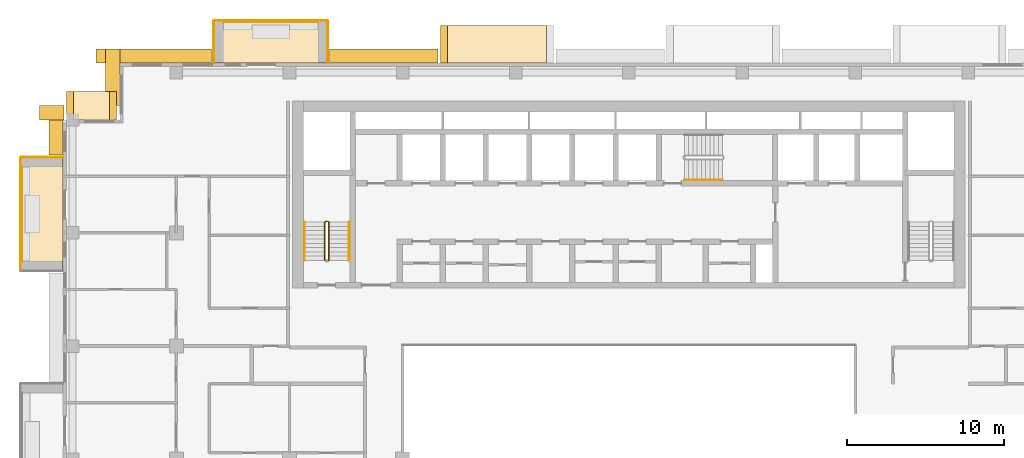
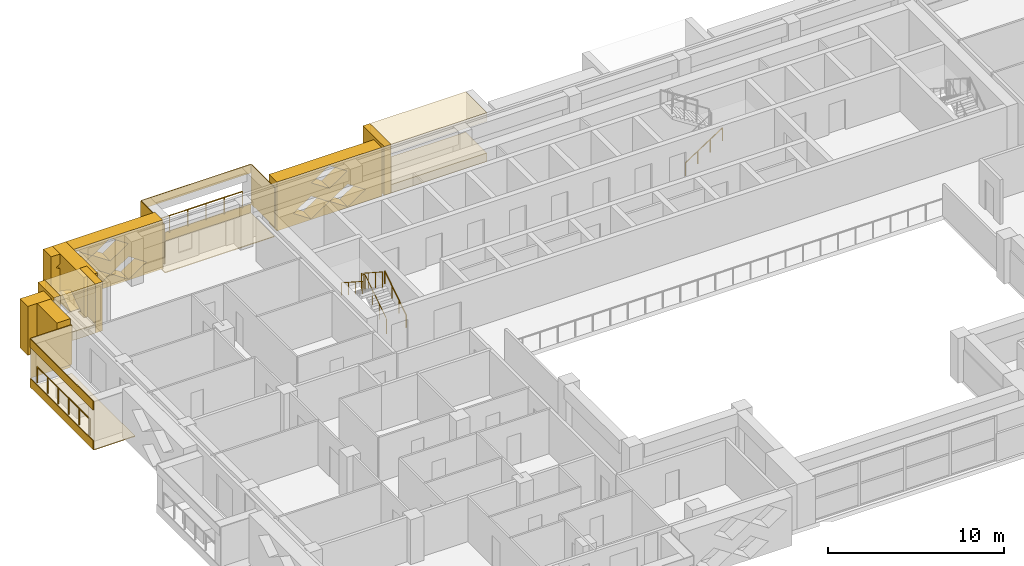
# One storey, part 18 of 20: 21 coverings, 6 railings.
"""IFC4 building model written with IfcOpenShell, lengths in metres."""

from ifc_helpers import new_model, si_unit, direction, frame, origin, origin_2d, place, context, subcontext, project, spatial, polyline, circle, outline, extrude, material, layer, layer_set, type_object, element, save


model = new_model("IFC4")

# Units and contexts
model_context = context("Model", 3, precision=1e-05, world=origin(), true_north=direction((0.0, 1.0)))
body_context = subcontext(model_context, "Body", "Model", "MODEL_VIEW")
ifc_project = project(units=[si_unit("LENGTHUNIT", "METRE"), si_unit("AREAUNIT", "SQUARE_METRE"), si_unit("VOLUMEUNIT", "CUBIC_METRE"), si_unit("PLANEANGLEUNIT", "RADIAN"), si_unit("MASSUNIT", "GRAM", prefix="KILO")], contexts=[model_context])

# Site, building, storey
site_placement = place(None, origin())
site = spatial("IfcSite", under=ifc_project, at=site_placement, CompositionType="ELEMENT")
building_placement = place(site_placement, origin())
building = spatial("IfcBuilding", under=site, at=building_placement, Name="Saffron Iwan Residences", CompositionType="ELEMENT")
storey_placement = place(building_placement, frame((0.0, 0.0, 202.5)))
storey = spatial("IfcBuildingStorey", under=building, at=storey_placement, Name="L54", CompositionType="ELEMENT", Elevation=202.5)

# Railings
ifc_material_1 = material(Name="Stainless steel 316", Category="steel")
railing_type_1 = type_object("IfcRailingType", Name="BALCONY GUARD 1150", PredefinedType="GUARDRAIL", material=ifc_material_1)
railing_1_placement = place(storey_placement, frame((30.60009765625, 83.02490234375, 0.0)))
element("IfcRailing", 1, at=railing_1_placement, inside=storey, type_object=railing_type_1, Name="Balcony guard L54 F5-3", PredefinedType="GUARDRAIL", context=body_context, shape_type="SweptSolid", body=[
    extrude(circle(Radius=0.02392578125, at=origin_2d()), frame((0.0, 0.0, 1.1259765625), z_axis=(-1.0, 0.0, 0.0), x_axis=(0.0, -1.0, 0.0)), (0.0, 0.0, 1.0), 6.0),
    extrude(circle(Radius=0.02099609375, at=origin_2d()), origin(), (0.0, 0.0, 1.0), 1.101806640625),
    extrude(circle(Radius=0.02099609375, at=origin_2d()), frame((-1.199951171875, 0.0, 0.0)), (0.0, 0.0, 1.0), 1.101806640625),
    extrude(circle(Radius=0.02099609375, at=origin_2d()), frame((-2.39990234375, 0.0, 0.0)), (0.0, 0.0, 1.0), 1.101806640625),
    extrude(circle(Radius=0.02099609375, at=origin_2d()), frame((-3.60009765625, 0.0, 0.0)), (0.0, 0.0, 1.0), 1.101806640625),
    extrude(circle(Radius=0.02099609375, at=origin_2d()), frame((-4.800048828125, 0.0, 0.0)), (0.0, 0.0, 1.0), 1.101806640625),
    extrude(circle(Radius=0.02099609375, at=origin_2d()), frame((-6.0, 0.0, 0.0)), (0.0, 0.0, 1.0), 1.101806640625),
])
railing_2_placement = place(storey_placement, frame((11.77490234375, 73.800048828125, 0.0)))
element("IfcRailing", 2, at=railing_2_placement, inside=storey, type_object=railing_type_1, Name="Balcony guard L54 F8-0", PredefinedType="GUARDRAIL", context=body_context, shape_type="SweptSolid", body=[
    extrude(circle(Radius=0.02392578125, at=origin_2d()), frame((0.0, 0.0, 1.1259765625), z_axis=(0.0, -1.0, 0.0), x_axis=(1.0, 0.0, 0.0)), (0.0, 0.0, 1.0), 6.0),
    extrude(circle(Radius=0.02099609375, at=origin_2d()), origin(), (0.0, 0.0, 1.0), 1.101806640625),
    extrude(circle(Radius=0.02099609375, at=origin_2d()), frame((0.0, -1.199951171875, 0.0)), (0.0, 0.0, 1.0), 1.101806640625),
    extrude(circle(Radius=0.02099609375, at=origin_2d()), frame((0.0, -2.39990234375, 0.0)), (0.0, 0.0, 1.0), 1.101806640625),
    extrude(circle(Radius=0.02099609375, at=origin_2d()), frame((0.0, -3.60009765625, 0.0)), (0.0, 0.0, 1.0), 1.101806640625),
    extrude(circle(Radius=0.02099609375, at=origin_2d()), frame((0.0, -4.800048828125, 0.0)), (0.0, 0.0, 1.0), 1.101806640625),
    extrude(circle(Radius=0.02099609375, at=origin_2d()), frame((0.0, -6.0, 0.0)), (0.0, 0.0, 1.0), 1.101806640625),
])

# Coverings
ifc_material_2 = material(Name="Precast concrete C40/50 white painted", Category="concrete")
ifc_layer = layer(ifc_material_2, 0.050048828125)
ifc_layer_set = layer_set([ifc_layer], Name="Precast concrete C40/50 white painted")
covering_type_1 = type_object("IfcCoveringType", Name="FRAME SKIN PRECAST WHITE 50", PredefinedType="CLADDING", material=ifc_layer_set)
for number, where, name in (
    (3, (0.0, 0.0, -0.60009765625), "Frame skin slab edge L54 F5-3"),
    (4, (0.0, 0.0, 2.14990234375), "Frame skin fascia L54 F5-3"),
):
    element("IfcCovering", number, at=place(storey_placement, frame(where)), inside=storey, type_object=covering_type_1, Name=name, PredefinedType="CLADDING", context=body_context, shape_type="SweptSolid", body=[
        extrude(outline(polyline([(31.199951171875, 83.14990234375), (24.0, 83.14990234375), (24.0, 83.10009765625), (31.199951171875, 83.10009765625), (31.199951171875, 83.14990234375)])), origin(), (0.0, 0.0, 1.0), 0.60009765625),
    ])
covering_1_placement = place(storey_placement, frame((0.0, 0.0, -0.64990234375)))
element("IfcCovering", 5, at=covering_1_placement, inside=storey, type_object=covering_type_1, Name="Frame skin soffit L54 F5-3", PredefinedType="CLADDING", context=body_context, shape_type="SweptSolid", body=[
    extrude(outline(polyline([(31.199951171875, 83.10009765625), (24.0, 83.10009765625), (24.0, 80.39990234375), (31.199951171875, 80.39990234375), (31.199951171875, 83.10009765625)])), origin(), (0.0, 0.0, 1.0), 0.0498046875),
])
covering_2_placement = place(storey_placement, origin())
element("IfcCovering", 6, at=covering_2_placement, inside=storey, type_object=covering_type_1, Name="Frame skin fin L54 F5-3a", PredefinedType="CLADDING", context=body_context, shape_type="SweptSolid", body=[
    extrude(outline(polyline([(31.25, 83.10009765625), (31.199951171875, 83.10009765625), (31.199951171875, 80.39990234375), (31.25, 80.39990234375), (31.25, 83.10009765625)])), origin(), (0.0, 0.0, 1.0), 2.75),
])
covering_3_placement = place(storey_placement, origin())
element("IfcCovering", 7, at=covering_3_placement, inside=storey, type_object=covering_type_1, Name="Frame skin fin L54 F5-3b", PredefinedType="CLADDING", context=body_context, shape_type="SweptSolid", body=[
    extrude(outline(polyline([(24.0, 83.10009765625), (23.949951171875, 83.10009765625), (23.949951171875, 80.39990234375), (24.0, 80.39990234375), (24.0, 83.10009765625)])), origin(), (0.0, 0.0, 1.0), 2.75),
])
for number, where, name in (
    (8, (0.0, 0.0, -0.60009765625), "Frame skin slab edge L54 F8-0"),
    (9, (0.0, 0.0, 2.14990234375), "Frame skin fascia L54 F8-0"),
):
    element("IfcCovering", number, at=place(storey_placement, frame(where)), inside=storey, type_object=covering_type_1, Name=name, PredefinedType="CLADDING", context=body_context, shape_type="SweptSolid", body=[
        extrude(outline(polyline([(11.64990234375, 74.39990234375), (11.64990234375, 67.199951171875), (11.699951171875, 67.199951171875), (11.699951171875, 74.39990234375), (11.64990234375, 74.39990234375)])), origin(), (0.0, 0.0, 1.0), 0.60009765625),
    ])
covering_4_placement = place(storey_placement, frame((0.0, 0.0, -0.64990234375)))
element("IfcCovering", 10, at=covering_4_placement, inside=storey, type_object=covering_type_1, Name="Frame skin soffit L54 F8-0", PredefinedType="CLADDING", context=body_context, shape_type="SweptSolid", body=[
    extrude(outline(polyline([(11.699951171875, 74.39990234375), (11.699951171875, 67.199951171875), (14.39990234375, 67.199951171875), (14.39990234375, 74.39990234375), (11.699951171875, 74.39990234375)])), origin(), (0.0, 0.0, 1.0), 0.0498046875),
])
covering_5_placement = place(storey_placement, origin())
element("IfcCovering", 11, at=covering_5_placement, inside=storey, type_object=covering_type_1, Name="Frame skin fin L54 F8-0a", PredefinedType="CLADDING", context=body_context, shape_type="SweptSolid", body=[
    extrude(outline(polyline([(11.699951171875, 74.449951171875), (11.699951171875, 74.39990234375), (14.39990234375, 74.39990234375), (14.39990234375, 74.449951171875), (11.699951171875, 74.449951171875)])), origin(), (0.0, 0.0, 1.0), 2.75),
])
ifc_material_3 = material(Name="Precast concrete C40/50", Category="concrete")
covering_type_2 = type_object("IfcCoveringType", Name="OUTER SKIN LATTICE SCREEN", PredefinedType="CLADDING", material=ifc_material_3)
covering_6_placement = place(storey_placement, frame((38.25, 80.39990234375, -0.300048828125), z_axis=(0.0, 1.0, 0.0), x_axis=(-1.0, 0.0, 0.0)))
element("IfcCovering", 12, at=covering_6_placement, inside=storey, type_object=covering_type_2, Name="OUTER SKIN lattice screen L54 F5.3", PredefinedType="CLADDING", context=body_context, shape_type="SweptSolid", body=[
    extrude(outline(polyline([(0.0, 0.0), (6.89990234375, 0.0), (6.89990234375, 3.39990234375), (0.0, 3.39990234375), (0.0, 0.0)]), holes=[polyline([(1.070068359375, 0.85009765625), (2.25, 0.06005859375), (3.429931640625, 0.85009765625), (2.25, 1.639892578125), (1.070068359375, 0.85009765625)]), polyline([(3.469970703125, 0.85009765625), (4.64990234375, 0.06005859375), (5.830078125, 0.85009765625), (4.64990234375, 1.639892578125), (3.469970703125, 0.85009765625)]), polyline([(2.27001953125, 2.550048828125), (3.449951171875, 1.760009765625), (4.6298828125, 2.550048828125), (3.449951171875, 3.340087890625), (2.27001953125, 2.550048828125)])]), origin(), (0.0, 0.0, 1.0), 0.900146484375),
])
covering_7_placement = place(storey_placement, frame((23.85009765625, 80.39990234375, -0.300048828125), z_axis=(0.0, 1.0, 0.0), x_axis=(-1.0, 0.0, 0.0)))
element("IfcCovering", 13, at=covering_7_placement, inside=storey, type_object=covering_type_2, Name="OUTER SKIN lattice screen L54 F5.4", PredefinedType="CLADDING", context=body_context, shape_type="SweptSolid", body=[
    extrude(outline(polyline([(0.0, 0.0), (7.35009765625, 0.0), (7.35009765625, 3.39990234375), (0.0, 3.39990234375), (0.0, 0.0)]), holes=[polyline([(1.070068359375, 0.85009765625), (2.25, 0.06005859375), (3.429931640625, 0.85009765625), (2.25, 1.639892578125), (1.070068359375, 0.85009765625)]), polyline([(3.469970703125, 0.85009765625), (4.64990234375, 0.06005859375), (5.830078125, 0.85009765625), (4.64990234375, 1.639892578125), (3.469970703125, 0.85009765625)]), polyline([(2.27001953125, 2.550048828125), (3.449951171875, 1.760009765625), (4.6298828125, 2.550048828125), (3.449951171875, 3.340087890625), (2.27001953125, 2.550048828125)]), polyline([(4.669921875, 2.550048828125), (5.85009765625, 1.760009765625), (7.030029296875, 2.550048828125), (5.85009765625, 3.340087890625), (4.669921875, 2.550048828125)])]), origin(), (0.0, 0.0, 1.0), 0.900146484375),
])
covering_8_placement = place(storey_placement, frame((18.0, 81.300048828125, -0.300048828125), z_axis=(-1.0, 0.0, 0.0), x_axis=(0.0, -1.0, 0.0)))
element("IfcCovering", 14, at=covering_8_placement, inside=storey, type_object=covering_type_2, Name="OUTER SKIN lattice screen L54 F6.0", PredefinedType="CLADDING", context=body_context, shape_type="SweptSolid", body=[
    extrude(outline(polyline([(0.0, 0.0), (3.60009765625, 0.0), (3.60009765625, 3.39990234375), (0.0, 3.39990234375), (0.0, 0.0)]), holes=[polyline([(0.919921875, 0.85009765625), (2.10009765625, 0.06005859375), (3.280029296875, 0.85009765625), (2.10009765625, 1.639892578125), (0.919921875, 0.85009765625)])]), origin(), (0.0, 0.0, 1.0), 0.89990234375),
])
covering_9_placement = place(storey_placement, frame((14.449951171875, 76.800048828125, -0.300048828125), z_axis=(0.0, 1.0, 0.0), x_axis=(-1.0, 0.0, 0.0)))
element("IfcCovering", 15, at=covering_9_placement, inside=storey, type_object=covering_type_2, Name="OUTER SKIN lattice screen L54 F7.0", PredefinedType="CLADDING", context=body_context, shape_type="SweptSolid", body=[
    extrude(outline(polyline([(0.0, 0.0), (1.550048828125, 0.0), (1.550048828125, 3.39990234375), (0.0, 3.39990234375), (0.0, 0.0)])), origin(), (0.0, 0.0, 1.0), 0.89990234375),
])
covering_10_placement = place(storey_placement, frame((14.39990234375, 77.699951171875, -0.300048828125), z_axis=(-1.0, 0.0, 0.0), x_axis=(0.0, -1.0, 0.0)))
element("IfcCovering", 16, at=covering_10_placement, inside=storey, type_object=covering_type_2, Name="OUTER SKIN lattice screen L54 F8.0", PredefinedType="CLADDING", context=body_context, shape_type="SweptSolid", body=[
    extrude(outline(polyline([(0.0, 0.0), (3.14990234375, 0.0), (3.14990234375, 3.39990234375), (0.0, 3.39990234375), (0.0, 0.0)])), origin(), (0.0, 0.0, 1.0), 0.89990234375),
])

# Railings
ifc_material_4 = material(Name="Steel S355", Category="steel")
railing_type_2 = type_object("IfcRailingType", Name="Stair guard 1100", PredefinedType="GUARDRAIL", material=ifc_material_4)
railing_3_placement = place(storey_placement, frame((31.300048828125, 67.85009765625, 0.175048828125)))
element("IfcRailing", 17, at=railing_3_placement, inside=storey, type_object=railing_type_2, Name="L54 ST-W stair guard 1", PredefinedType="GUARDRAIL", context=body_context, shape_type="SweptSolid", body=[
    extrude(circle(Radius=0.02392578125, at=origin_2d()), frame((0.0, 0.0, 1.076171875), z_axis=(0.0, 0.839153699163, 0.543894354798), x_axis=(-1.0, 0.0, 0.0)), (0.0, 0.0, 1.0), 2.895751953125),
    extrude(circle(Radius=0.02392578125, at=origin_2d()), frame((0.0, 2.429931640625, 2.65087890625), z_axis=(-0.707106781187, 0.707106781187, 0.0), x_axis=(-0.707106781187, -0.707106781187, 0.0)), (0.0, 0.0, 1.0), 0.07080078125),
    extrude(circle(Radius=0.02392578125, at=origin_2d()), frame((-0.050048828125, 2.47998046875, 2.65087890625), z_axis=(-1.0, 0.0, 0.0), x_axis=(0.0, -1.0, 0.0)), (0.0, 0.0, 1.0), 0.14990234375),
    extrude(circle(Radius=0.02392578125, at=origin_2d()), frame((-0.199951171875, 2.47998046875, 2.65087890625), z_axis=(-0.265065253269, -0.265065253269, 0.927081885822), x_axis=(0.707106781187, -0.707106781187, 0.0)), (0.0, 0.0, 1.0), 0.188720703125),
    extrude(circle(Radius=0.02392578125, at=origin_2d()), frame((-0.25, 2.429931640625, 2.826171875), z_axis=(0.0, -0.839153699163, 0.543894354798), x_axis=(1.0, 0.0, 0.0)), (0.0, 0.0, 1.0), 2.895751953125),
    extrude(circle(Radius=0.02099609375, at=origin_2d()), origin(), (0.0, 0.0, 1.0), 1.052001953125),
    extrude(circle(Radius=0.02099609375, at=origin_2d()), frame((0.0, 0.81005859375, 0.52490234375)), (0.0, 0.0, 1.0), 1.052001953125),
    extrude(circle(Radius=0.02099609375, at=origin_2d()), frame((0.0, 1.619873046875, 1.050048828125)), (0.0, 0.0, 1.0), 1.052001953125),
    extrude(circle(Radius=0.02099609375, at=origin_2d()), frame((0.0, 2.429931640625, 1.574951171875)), (0.0, 0.0, 1.0), 1.052001953125),
    extrude(circle(Radius=0.02099609375, at=origin_2d()), frame((-0.050048828125, 2.47998046875, 1.574951171875)), (0.0, 0.0, 1.0), 1.052001953125),
    extrude(circle(Radius=0.02099609375, at=origin_2d()), frame((-0.199951171875, 2.47998046875, 1.574951171875)), (0.0, 0.0, 1.0), 1.052001953125),
    extrude(circle(Radius=0.02099609375, at=origin_2d()), frame((-0.25, 2.429931640625, 1.75)), (0.0, 0.0, 1.0), 1.052001953125),
    extrude(circle(Radius=0.02099609375, at=origin_2d()), frame((-0.25, 1.619873046875, 2.27490234375)), (0.0, 0.0, 1.0), 1.052001953125),
    extrude(circle(Radius=0.02099609375, at=origin_2d()), frame((-0.25, 0.81005859375, 2.800048828125)), (0.0, 0.0, 1.0), 1.052001953125),
    extrude(circle(Radius=0.02099609375, at=origin_2d()), frame((-0.25, 0.0, 3.324951171875)), (0.0, 0.0, 1.0), 1.052001953125),
])
railing_type_3 = type_object("IfcRailingType", Name="Stair handrail 900", PredefinedType="HANDRAIL", material=ifc_material_1)
railing_4_placement = place(storey_placement, frame((32.60009765625, 67.85009765625, 0.175048828125)))
element("IfcRailing", 18, at=railing_4_placement, inside=storey, type_object=railing_type_3, Name="L54 ST-W stair handrail 1", PredefinedType="HANDRAIL", context=body_context, shape_type="SweptSolid", body=[
    extrude(circle(Radius=0.02392578125, at=origin_2d()), frame((0.0, 0.0, 0.8759765625), z_axis=(0.0, 0.839153699163, 0.543894354798), x_axis=(-1.0, 0.0, 0.0)), (0.0, 0.0, 1.0), 2.895751953125),
    extrude(circle(Radius=0.02099609375, at=origin_2d()), origin(), (0.0, 0.0, 1.0), 0.851806640625),
    extrude(circle(Radius=0.02099609375, at=origin_2d()), frame((0.0, 0.81005859375, 0.52490234375)), (0.0, 0.0, 1.0), 0.851806640625),
    extrude(circle(Radius=0.02099609375, at=origin_2d()), frame((0.0, 1.619873046875, 1.050048828125)), (0.0, 0.0, 1.0), 0.851806640625),
    extrude(circle(Radius=0.02099609375, at=origin_2d()), frame((0.0, 2.429931640625, 1.574951171875)), (0.0, 0.0, 1.0), 0.851806640625),
])
railing_5_placement = place(storey_placement, frame((29.75, 70.280029296875, 1.925048828125)))
element("IfcRailing", 19, at=railing_5_placement, inside=storey, type_object=railing_type_3, Name="L54 ST-W stair handrail 2", PredefinedType="HANDRAIL", context=body_context, shape_type="SweptSolid", body=[
    extrude(circle(Radius=0.02392578125, at=origin_2d()), frame((0.0, 0.0, 0.8759765625), z_axis=(0.0, -0.839153699163, 0.543894354798), x_axis=(1.0, 0.0, 0.0)), (0.0, 0.0, 1.0), 2.895751953125),
    extrude(circle(Radius=0.02099609375, at=origin_2d()), origin(), (0.0, 0.0, 1.0), 0.851806640625),
    extrude(circle(Radius=0.02099609375, at=origin_2d()), frame((0.0, -0.81005859375, 0.52490234375)), (0.0, 0.0, 1.0), 0.851806640625),
    extrude(circle(Radius=0.02099609375, at=origin_2d()), frame((0.0, -1.619873046875, 1.050048828125)), (0.0, 0.0, 1.0), 0.851806640625),
    extrude(circle(Radius=0.02099609375, at=origin_2d()), frame((0.0, -2.429931640625, 1.574951171875)), (0.0, 0.0, 1.0), 0.851806640625),
])
railing_6_placement = place(storey_placement, frame((53.925048828125, 72.97509765625, 0.175048828125)))
element("IfcRailing", 20, at=railing_6_placement, inside=storey, type_object=railing_type_3, Name="L54 ST-C stair handrail 1", PredefinedType="HANDRAIL", context=body_context, shape_type="SweptSolid", body=[
    extrude(circle(Radius=0.02392578125, at=origin_2d()), frame((0.0, 0.0, 0.8759765625), z_axis=(0.839153699163, 0.0, 0.543894354798), x_axis=(0.0, 1.0, 0.0)), (0.0, 0.0, 1.0), 2.895751953125),
    extrude(circle(Radius=0.02099609375, at=origin_2d()), origin(), (0.0, 0.0, 1.0), 0.851806640625),
    extrude(circle(Radius=0.02099609375, at=origin_2d()), frame((0.81005859375, 0.0, 0.52490234375)), (0.0, 0.0, 1.0), 0.851806640625),
    extrude(circle(Radius=0.02099609375, at=origin_2d()), frame((1.619873046875, 0.0, 1.050048828125)), (0.0, 0.0, 1.0), 0.851806640625),
    extrude(circle(Radius=0.02099609375, at=origin_2d()), frame((2.429931640625, 0.0, 1.574951171875)), (0.0, 0.0, 1.0), 0.851806640625),
])

# Coverings
covering_type_3 = type_object("IfcCoveringType", Name="WHITE SUN FRAME PRECAST", PredefinedType="CLADDING", material=ifc_material_2)
covering_11_placement = place(storey_placement, frame((38.85009765625, 80.39990234375, -0.300048828125), z_axis=(0.0, 1.0, 0.0), x_axis=(-1.0, 0.0, 0.0)))
element("IfcCovering", 21, at=covering_11_placement, inside=storey, type_object=covering_type_3, Name="Sun frame L54 F5 37.2b", PredefinedType="CLADDING", context=body_context, shape_type="SweptSolid", body=[
    extrude(outline(polyline([(0.0, 0.0), (0.449951171875, 0.0), (0.449951171875, 3.39990234375), (0.0, 3.39990234375), (0.0, 0.0)])), origin(), (0.0, 0.0, 1.0), 2.400146484375),
])
for number, where, z_axis, x_axis, name in (
    (22, (45.14990234375, 80.39990234375, 2.5), (0.0, 1.0, 0.0), (-1.0, 0.0, 0.0), "Sun frame L54 F5 37.2h"),
    (23, (45.14990234375, 80.39990234375, -0.300048828125), (0.0, 1.0, 0.0), (-1.0, 0.0, 0.0), "Sun frame L54 F5 37.2s"),
):
    element("IfcCovering", number, at=place(storey_placement, frame(where, z_axis=z_axis, x_axis=x_axis)), inside=storey, type_object=covering_type_3, Name=name, PredefinedType="CLADDING", context=body_context, shape_type="SweptSolid", body=[
        extrude(outline(polyline([(0.0, 0.0), (6.300048828125, 0.0), (6.300048828125, 0.60009765625), (0.0, 0.60009765625), (0.0, 0.0)])), origin(), (0.0, 0.0, 1.0), 2.400146484375),
    ])
for number, where, z_axis, x_axis, name in (
    (24, (17.800048828125, 76.800048828125, -0.300048828125), (0.0, 1.0, 0.0), (-1.0, 0.0, 0.0), "Sun frame L54 F7 0.2a"),
    (25, (15.050048828125, 76.800048828125, -0.300048828125), (0.0, 1.0, 0.0), (-1.0, 0.0, 0.0), "Sun frame L54 F7 0.2b"),
):
    element("IfcCovering", number, at=place(storey_placement, frame(where, z_axis=z_axis, x_axis=x_axis)), inside=storey, type_object=covering_type_3, Name=name, PredefinedType="CLADDING", context=body_context, shape_type="SweptSolid", body=[
        extrude(outline(polyline([(0.0, 0.0), (0.449951171875, 0.0), (0.449951171875, 3.39990234375), (0.0, 3.39990234375), (0.0, 0.0)])), origin(), (0.0, 0.0, 1.0), 1.800048828125),
    ])
for number, where, z_axis, x_axis, name in (
    (26, (17.35009765625, 76.800048828125, 2.5), (0.0, 1.0, 0.0), (-1.0, 0.0, 0.0), "Sun frame L54 F7 0.2h"),
    (27, (17.35009765625, 76.800048828125, -0.300048828125), (0.0, 1.0, 0.0), (-1.0, 0.0, 0.0), "Sun frame L54 F7 0.2s"),
):
    element("IfcCovering", number, at=place(storey_placement, frame(where, z_axis=z_axis, x_axis=x_axis)), inside=storey, type_object=covering_type_3, Name=name, PredefinedType="CLADDING", context=body_context, shape_type="SweptSolid", body=[
        extrude(outline(polyline([(0.0, 0.0), (2.300048828125, 0.0), (2.300048828125, 0.60009765625), (0.0, 0.60009765625), (0.0, 0.0)])), origin(), (0.0, 0.0, 1.0), 1.800048828125),
    ])

save(model, "model.ifc")
